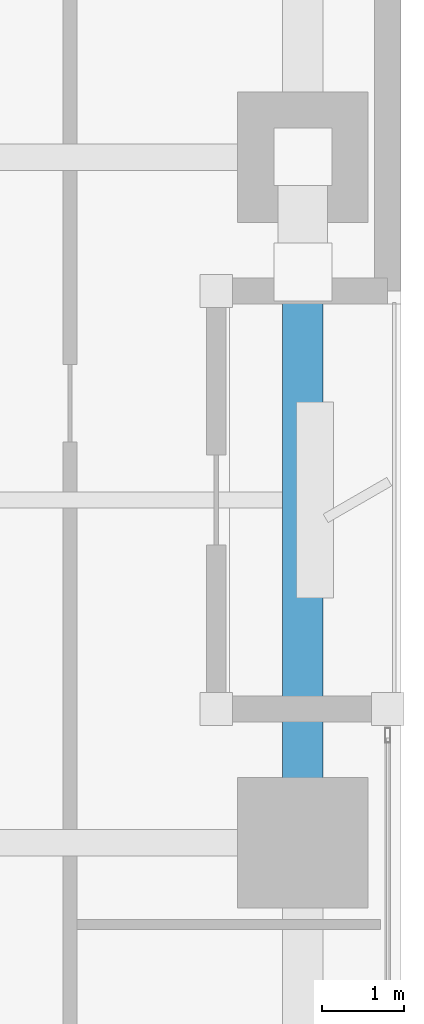
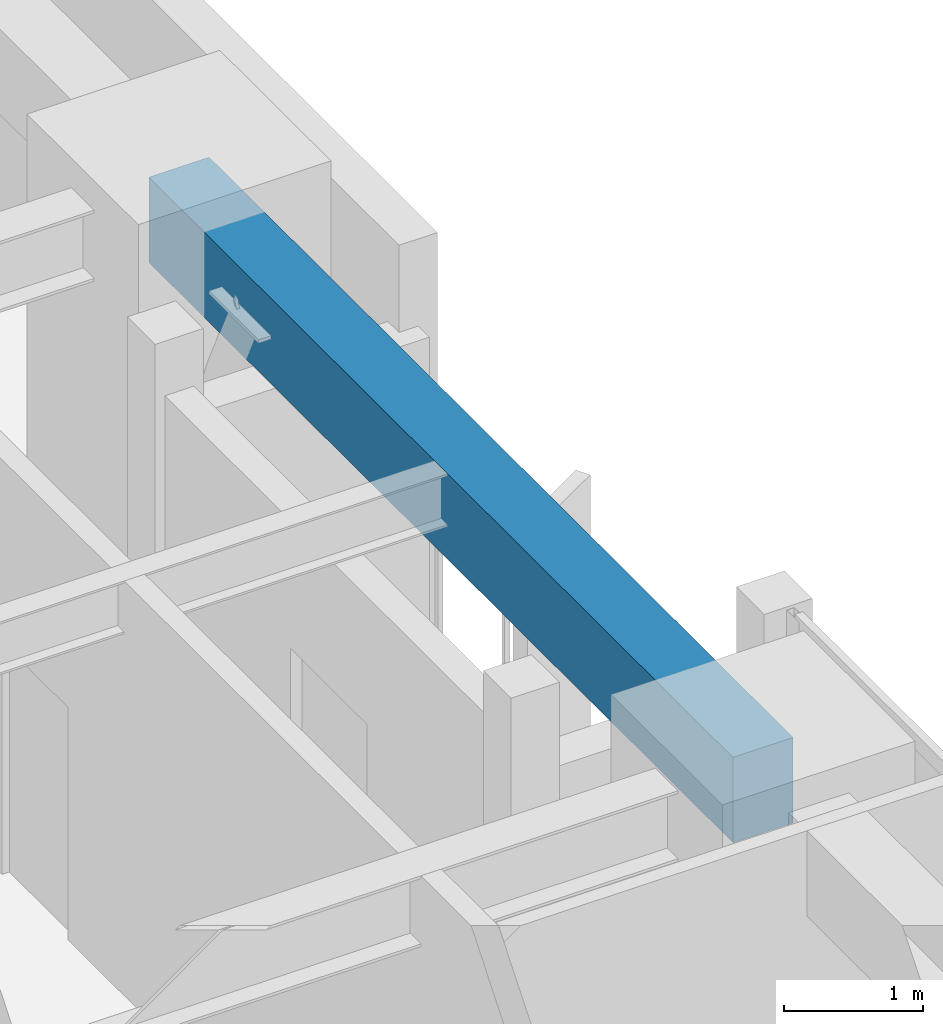
# One storey, part 7 of 24: 1 beam.
"""IFC4 building model written with IfcOpenShell, lengths in metres."""

from ifc_helpers import new_model, si_unit, direction, frame, origin, origin_2d, place, context, subcontext, project, spatial, rectangle, extrude, material, material_profile, profile_set, type_object, element, save


model = new_model("IFC4")

# Units and contexts
model_context = context("Model", 3, precision=1e-05, world=origin(), true_north=direction((0.0, 1.0)))
body_context = subcontext(model_context, "Body", "Model", "MODEL_VIEW")
ifc_project = project(units=[si_unit("LENGTHUNIT", "METRE"), si_unit("AREAUNIT", "SQUARE_METRE"), si_unit("VOLUMEUNIT", "CUBIC_METRE"), si_unit("PLANEANGLEUNIT", "RADIAN"), si_unit("MASSUNIT", "GRAM", prefix="KILO")], contexts=[model_context])

# Site, building, storey
site_placement = place(None, origin())
site = spatial("IfcSite", under=ifc_project, at=site_placement, CompositionType="ELEMENT")
building_placement = place(site_placement, origin())
building = spatial("IfcBuilding", under=site, at=building_placement, Name="Kiyonajd Concourse Tower", CompositionType="ELEMENT")
storey_placement = place(building_placement, frame((0.0, 0.0, 85.800048828125)))
storey = spatial("IfcBuildingStorey", under=building, at=storey_placement, Name="L22", CompositionType="ELEMENT", Elevation=85.800048828125)

# Beam
ifc_material = material(Name="Precast concrete C50/60", Category="concrete")
ifc_material_profile = material_profile(ifc_material, rectangle(XDim=0.5, YDim=0.75, at=origin_2d()), Name="RCBM-500x750")
ifc_profile_set = profile_set([ifc_material_profile], Name="Precast concrete C50/60")
beam_type = type_object("IfcBeamType", Name="BM-SPAN-RC", PredefinedType="SPANDREL", material=ifc_profile_set)
beam_placement = place(storey_placement, frame((69.60009765625, 36.0, 3.264892578125), z_axis=(0.0, 1.0, 0.0), x_axis=(-1.0, 0.0, 0.0)))
element("IfcBeam", 1, at=beam_placement, inside=storey, type_object=beam_type, Name="L22 Perimeter Bundled Tube Spandrel", PredefinedType="SPANDREL", context=body_context, shape_type="SweptSolid", body=[
    extrude(rectangle(XDim=0.5, YDim=0.75, at=origin_2d()), origin(), (0.0, 0.0, 1.0), 8.39990234375),
])

save(model, "model.ifc")
